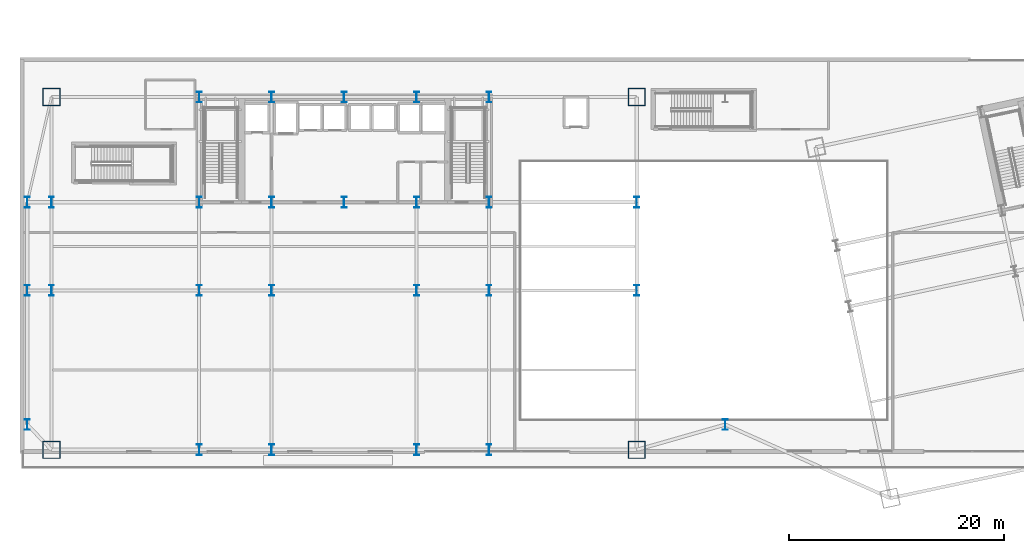
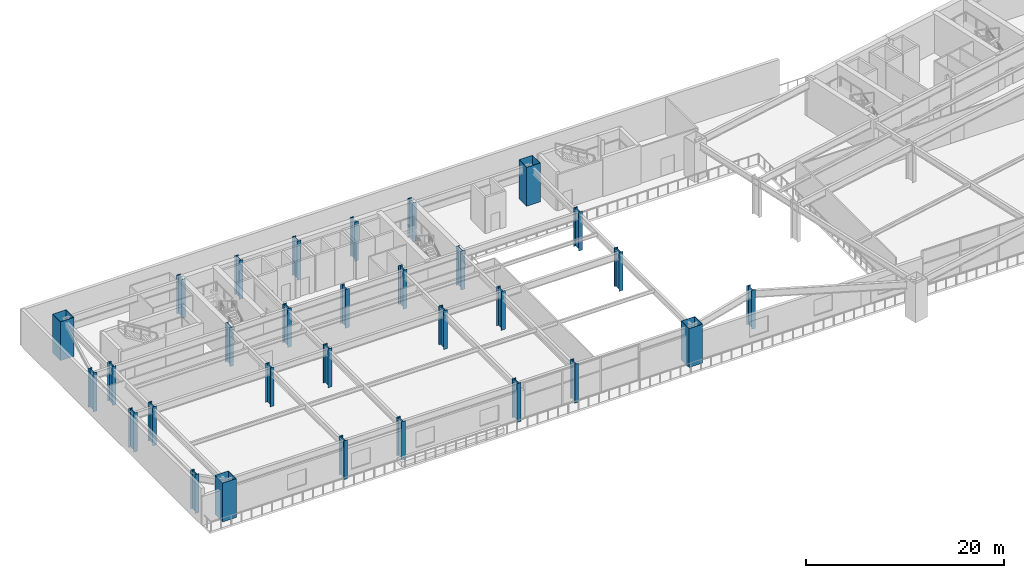
# One storey, part 1 of 28: 30 columns.
"""IFC4 building model written with IfcOpenShell, lengths in metres."""

from ifc_helpers import new_model, si_unit, direction, frame, origin, origin_2d, place, context, subcontext, project, spatial, hollow_rectangle, i_section, extrude, material, material_profile, profile_set, type_object, element, save


model = new_model("IFC4")

# Units and contexts
model_context = context("Model", 3, precision=1e-05, world=origin(), true_north=direction((0.0, 1.0)))
body_context = subcontext(model_context, "Body", "Model", "MODEL_VIEW")
ifc_project = project(units=[si_unit("LENGTHUNIT", "METRE"), si_unit("AREAUNIT", "SQUARE_METRE"), si_unit("VOLUMEUNIT", "CUBIC_METRE"), si_unit("PLANEANGLEUNIT", "RADIAN"), si_unit("MASSUNIT", "GRAM", prefix="KILO")], contexts=[model_context])

# Site, building, storey
site_placement = place(None, origin())
site = spatial("IfcSite", under=ifc_project, at=site_placement, CompositionType="ELEMENT")
building_placement = place(site_placement, origin())
building = spatial("IfcBuilding", under=site, at=building_placement, Name="Haevon Station Towers", CompositionType="ELEMENT")
storey_placement = place(building_placement, frame((0.0, 0.0, 10.800048828125)))
storey = spatial("IfcBuildingStorey", under=building, at=storey_placement, Name="L02", CompositionType="ELEMENT", Elevation=10.800048828125)

# Columns
ifc_material = material(Name="Steel S460", Category="steel")
ifc_material_profile_1 = material_profile(ifc_material, hollow_rectangle(XDim=1.60009765625, YDim=1.60009765625, WallThickness=0.0400390625, at=origin_2d()), Name="BOX-1600x1600x40")
ifc_profile_set_1 = profile_set([ifc_material_profile_1], Name="Steel S460")
column_type_1 = type_object("IfcColumnType", Name="COL-MC1", PredefinedType="COLUMN", material=ifc_profile_set_1)
for number, where, z_axis, x_axis, name in (
    (1, (10.25, 15.14990234375, 0.0), (0.0, 0.0, 1.0), (1.0, 0.0, 0.0), "COL-T1-L02-01-01"),
    (2, (10.25, 48.0, 0.0), (0.0, 0.0, 1.0), (1.0, 0.0, 0.0), "COL-T1-L02-01-04"),
    (3, (64.75, 15.14990234375, 0.0), (0.0, 0.0, 1.0), (1.0, 0.0, 0.0), "COL-T1-L02-07-01"),
    (4, (64.75, 48.0, 0.0), (0.0, 0.0, 1.0), (1.0, 0.0, 0.0), "COL-T1-L02-07-04"),
):
    element("IfcColumn", number, at=place(storey_placement, frame(where, z_axis=z_axis, x_axis=x_axis)), inside=storey, type_object=column_type_1, Name=name, PredefinedType="COLUMN", context=body_context, shape_type="SweptSolid", body=[
        extrude(hollow_rectangle(XDim=1.60009765625, YDim=1.60009765625, WallThickness=0.0400390625, at=origin_2d()), origin(), (0.0, 0.0, 1.0), 4.800048828125),
    ])
ifc_material_profile_2 = material_profile(ifc_material, i_section(OverallWidth=0.449951171875, OverallDepth=1.0, WebThickness=0.02197265625, FlangeThickness=0.0400390625, at=origin_2d()), Name="H-1000x450x22x40")
ifc_profile_set_2 = profile_set([ifc_material_profile_2], Name="Steel S460")
column_type_2 = type_object("IfcColumnType", Name="COL-POD1", PredefinedType="COLUMN", material=ifc_profile_set_2)
for number, where, z_axis, x_axis, name in (
    (5, (10.25, 30.0, 0.0), (0.0, 0.0, 1.0), (1.0, 0.0, 0.0), "COL-T1-L02-01-02"),
    (6, (10.25, 38.199951171875, 0.0), (0.0, 0.0, 1.0), (1.0, 0.0, 0.0), "COL-T1-L02-01-03"),
    (7, (24.0, 15.14990234375, 0.0), (0.0, 0.0, 1.0), (1.0, 0.0, 0.0), "COL-T1-L02-02-01"),
    (8, (24.0, 30.0, 0.0), (0.0, 0.0, 1.0), (1.0, 0.0, 0.0), "COL-T1-L02-02-02"),
    (9, (24.0, 38.199951171875, 0.0), (0.0, 0.0, 1.0), (1.0, 0.0, 0.0), "COL-T1-L02-02-03"),
    (10, (24.0, 48.0, 0.0), (0.0, 0.0, 1.0), (1.0, 0.0, 0.0), "COL-T1-L02-02-04"),
    (11, (30.75, 15.14990234375, 0.0), (0.0, 0.0, 1.0), (1.0, 0.0, 0.0), "COL-T1-L02-03-01"),
    (12, (30.75, 30.0, 0.0), (0.0, 0.0, 1.0), (1.0, 0.0, 0.0), "COL-T1-L02-03-02"),
    (13, (30.75, 38.199951171875, 0.0), (0.0, 0.0, 1.0), (1.0, 0.0, 0.0), "COL-T1-L02-03-03"),
    (14, (30.75, 48.0, 0.0), (0.0, 0.0, 1.0), (1.0, 0.0, 0.0), "COL-T1-L02-03-04"),
    (15, (37.5, 38.199951171875, 0.0), (0.0, 0.0, 1.0), (1.0, 0.0, 0.0), "COL-T1-L02-04-03"),
    (16, (37.5, 48.0, 0.0), (0.0, 0.0, 1.0), (1.0, 0.0, 0.0), "COL-T1-L02-04-04"),
    (17, (44.25, 15.14990234375, 0.0), (0.0, 0.0, 1.0), (1.0, 0.0, 0.0), "COL-T1-L02-05-01"),
    (18, (44.25, 30.0, 0.0), (0.0, 0.0, 1.0), (1.0, 0.0, 0.0), "COL-T1-L02-05-02"),
    (19, (44.25, 38.199951171875, 0.0), (0.0, 0.0, 1.0), (1.0, 0.0, 0.0), "COL-T1-L02-05-03"),
    (20, (44.25, 48.0, 0.0), (0.0, 0.0, 1.0), (1.0, 0.0, 0.0), "COL-T1-L02-05-04"),
    (21, (51.0, 15.14990234375, 0.0), (0.0, 0.0, 1.0), (1.0, 0.0, 0.0), "COL-T1-L02-06-01"),
    (22, (51.0, 30.0, 0.0), (0.0, 0.0, 1.0), (1.0, 0.0, 0.0), "COL-T1-L02-06-02"),
    (23, (51.0, 38.199951171875, 0.0), (0.0, 0.0, 1.0), (1.0, 0.0, 0.0), "COL-T1-L02-06-03"),
    (24, (51.0, 48.0, 0.0), (0.0, 0.0, 1.0), (1.0, 0.0, 0.0), "COL-T1-L02-06-04"),
    (25, (64.75, 30.0, 0.0), (0.0, 0.0, 1.0), (1.0, 0.0, 0.0), "COL-T1-L02-07-02"),
    (26, (64.75, 38.199951171875, 0.0), (0.0, 0.0, 1.0), (1.0, 0.0, 0.0), "COL-T1-L02-07-03"),
    (27, (8.0, 17.5, 0.0), (0.0, 0.0, 1.0), (1.0, 0.0, 0.0), "COL-POD-L02-W1"),
    (28, (8.0, 30.0, 0.0), (0.0, 0.0, 1.0), (1.0, 0.0, 0.0), "COL-POD-L02-W2"),
    (29, (8.0, 38.199951171875, 0.0), (0.0, 0.0, 1.0), (1.0, 0.0, 0.0), "COL-POD-L02-W3"),
    (30, (73.0, 17.5, 0.0), (0.0, 0.0, 1.0), (1.0, 0.0, 0.0), "COL-POD-L02-M1"),
):
    element("IfcColumn", number, at=place(storey_placement, frame(where, z_axis=z_axis, x_axis=x_axis)), inside=storey, type_object=column_type_2, Name=name, PredefinedType="COLUMN", context=body_context, shape_type="SweptSolid", body=[
        extrude(i_section(OverallWidth=0.449951171875, OverallDepth=1.0, WebThickness=0.02197265625, FlangeThickness=0.0400390625, at=origin_2d()), origin(), (0.0, 0.0, 1.0), 4.800048828125),
    ])

save(model, "model.ifc")
